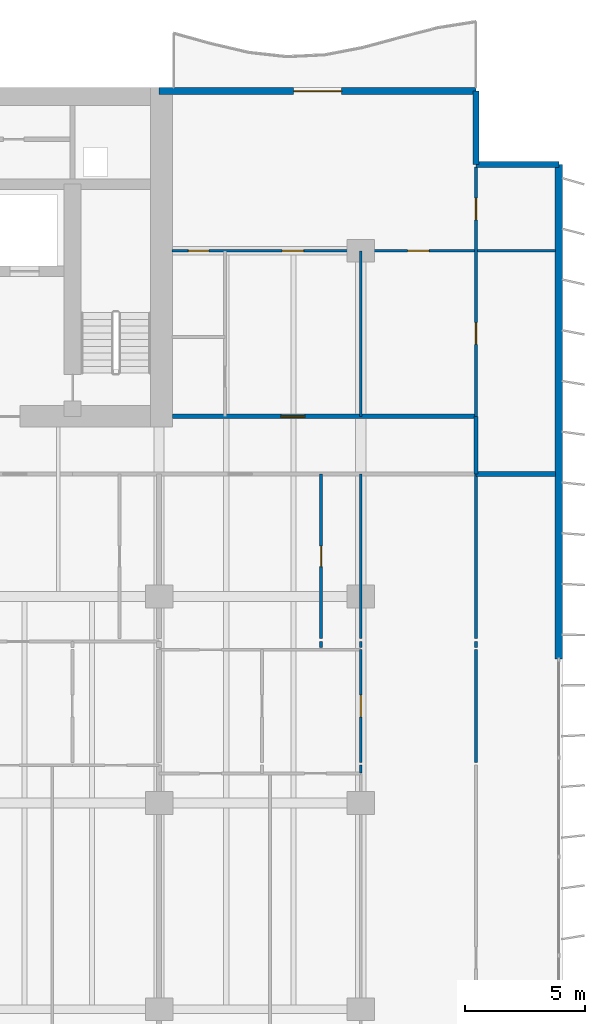
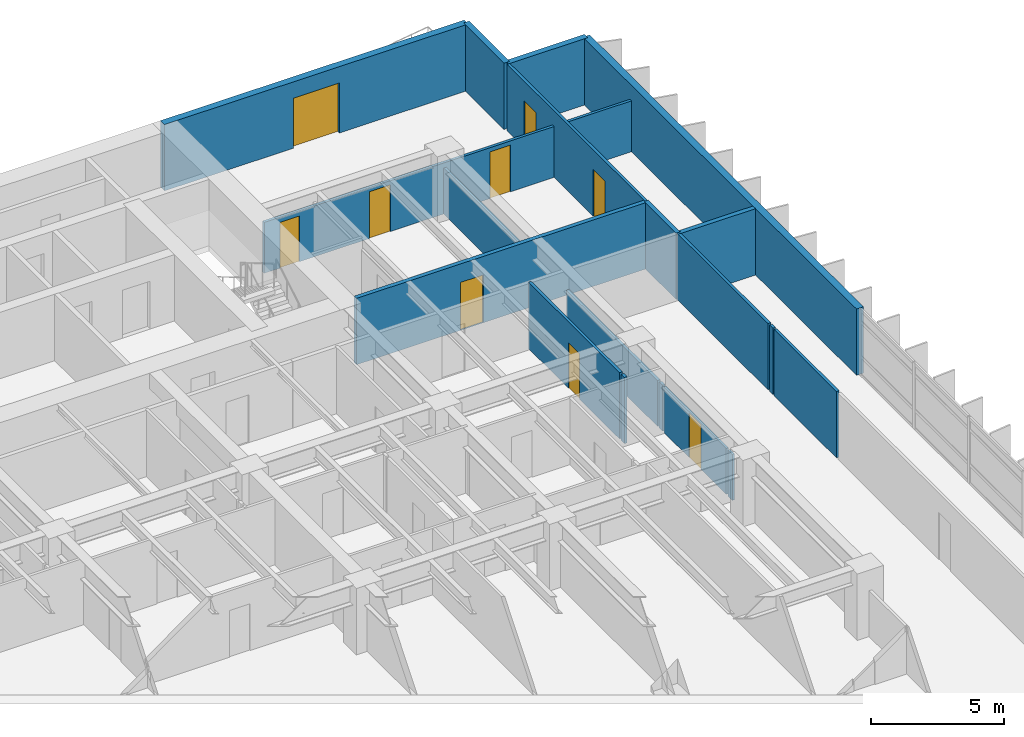
# One storey, part 13 of 18: 19 walls, 9 doors, 9 openings.
"""IFC4 building model written with IfcOpenShell, lengths in metres."""

from ifc_helpers import new_model, si_unit, direction, frame, frame_2d, origin, place, context, subcontext, project, spatial, rectangle, extrude, material, layer, layer_set, type_object, element, fill, save


model = new_model("IFC4")

# Units and contexts
model_context = context("Model", 3, precision=1e-05, world=origin(), true_north=direction((0.0, 1.0)))
body_context = subcontext(model_context, "Body", "Model", "MODEL_VIEW")
ifc_project = project(units=[si_unit("LENGTHUNIT", "METRE"), si_unit("AREAUNIT", "SQUARE_METRE"), si_unit("VOLUMEUNIT", "CUBIC_METRE"), si_unit("PLANEANGLEUNIT", "RADIAN"), si_unit("MASSUNIT", "GRAM", prefix="KILO")], contexts=[model_context])

# Site, building, storey
site_placement = place(None, origin())
site = spatial("IfcSite", under=ifc_project, at=site_placement, CompositionType="ELEMENT")
building_placement = place(site_placement, origin())
building = spatial("IfcBuilding", under=site, at=building_placement, Name="Caelmar Bay Residences", CompositionType="ELEMENT")
storey_placement = place(building_placement, frame((0.0, 0.0, 36.60009765625)))
storey = spatial("IfcBuildingStorey", under=building, at=storey_placement, Name="L08", CompositionType="ELEMENT", Elevation=36.60009765625)

# Wall
ifc_material_1 = material(Name="Double-stud acoustic fire-rated gypsum partition 180 mm")
ifc_layer_1 = layer(ifc_material_1, 0.179931640625)
ifc_layer_set_1 = layer_set([ifc_layer_1], Name="Double-stud acoustic fire-rated gypsum partition 180 mm")
wall_type_1 = type_object("IfcWallType", Name="W-COR-200", PredefinedType="PARTITIONING", material=ifc_layer_set_1)
wall_1_placement = place(storey_placement, frame((72.699951171875, 34.5048828125, 0.0), z_axis=(0.0, 0.0, 1.0), x_axis=(0.0, 1.0, 0.0)))
element("IfcWall", 1, at=wall_1_placement, inside=storey, type_object=wall_type_1, Name="L08 Partition Wall V101", PredefinedType="PARTITIONING", context=body_context, shape_type="SweptSolid", body=[
    extrude(rectangle(XDim=2.39501953125, YDim=0.179931640625, at=frame_2d((1.197509765625, 0.0))), origin(), (0.0, 0.0, 1.0), 3.0498046875),
])

# Wall, opening, door
wall_2_placement = place(storey_placement, frame((60.054931640625, 36.89990234375, 0.0), z_axis=(0.0, 0.0, 1.0), x_axis=(1.0, 0.0, 0.0)))
wall_2 = element("IfcWall", 2, at=wall_2_placement, inside=storey, type_object=wall_type_1, Name="L08 Partition Wall H131", PredefinedType="PARTITIONING", context=body_context, shape_type="SweptSolid", body=[
    extrude(rectangle(XDim=12.64501953125, YDim=0.179931640625, at=frame_2d((6.322509765625, 0.0))), origin(), (0.0, 0.0, 1.0), 3.0498046875),
])
opening_1_placement = place(wall_2_placement, frame((4.52001953125, 0.0, 0.0)))
opening_1 = element("IfcOpeningElement", 3, at=opening_1_placement, cuts=wall_2, Name="Opening D-L08-177", PredefinedType="OPENING", context=body_context, shape_type="SweptSolid", body=[
    extrude(rectangle(XDim=1.0, YDim=2.199951171875, at=frame_2d((0.5, 1.10009765625))), frame((0.0, 0.099853515625, 0.0), z_axis=(0.0, -1.0, 0.0), x_axis=(1.0, 0.0, 0.0)), (0.0, 0.0, 1.0), 0.199951171875),
])
ifc_material_2 = material(Name="Fire-rated steel and walnut architectural door assembly", Category="steel")
ifc_layer_2 = layer(ifc_material_2, 0.050048828125)
ifc_layer_set_2 = layer_set([ifc_layer_2], Name="Fire-rated steel and walnut architectural door assembly")
door_type_1 = type_object("IfcDoorType", Name="D-UNIT-1000", OperationType="NOTDEFINED", PredefinedType="DOOR", material=ifc_layer_set_2)
door_1_placement = place(opening_1_placement, origin())
door_1 = element("IfcDoor", 4, at=door_1_placement, inside=storey, type_object=door_type_1, Name="L08 Residence EA Kitchen Door", OperationType="SINGLE_SWING_LEFT", OverallHeight=2.199951171875, OverallWidth=1.0, PredefinedType="DOOR", context=body_context, shape_type="SweptSolid", body=[
    extrude(rectangle(XDim=1.0, YDim=2.199951171875, at=frame_2d((0.5, 1.10009765625))), frame((0.0, 0.02490234375, 0.0), z_axis=(0.0, -1.0, 0.0), x_axis=(1.0, 0.0, 0.0)), (0.0, 0.0, 1.0), 0.050048828125),
])
fill(opening_1, door_1)

# Walls
ifc_material_3 = material(Name="Precast concrete f'c 40 MPa (6,000 psi)", Category="concrete")
ifc_layer_3 = layer(ifc_material_3, 0.25)
ifc_layer_set_3 = layer_set([ifc_layer_3], Name="Precast concrete f'c 40 MPa (6,000 psi)")
wall_type_2 = type_object("IfcWallType", Name="W-EXT-250", PredefinedType="ELEMENTEDWALL", material=ifc_layer_set_3)
wall_3_placement = place(storey_placement, frame((72.699951171875, 50.449951171875, 0.0), z_axis=(0.0, 0.0, 1.0), x_axis=(0.0, -1.0, 0.0)))
element("IfcWall", 5, at=wall_3_placement, inside=storey, type_object=wall_type_2, Name="L08 NNE-V Notch Wall", PredefinedType="ELEMENTEDWALL", context=body_context, shape_type="SweptSolid", body=[
    extrude(rectangle(XDim=3.050048828125, YDim=0.25, at=frame_2d((1.52490234375, 0.0))), origin(), (0.0, 0.0, 1.0), 3.0498046875),
])
wall_4_placement = place(storey_placement, frame((72.699951171875, 47.39990234375, 0.0), z_axis=(0.0, 0.0, 1.0), x_axis=(1.0, 0.0, 0.0)))
element("IfcWall", 6, at=wall_4_placement, inside=storey, type_object=wall_type_2, Name="L08 NNE-H Notch Wall", PredefinedType="ELEMENTEDWALL", context=body_context, shape_type="SweptSolid", body=[
    extrude(rectangle(XDim=3.449951171875, YDim=0.25, at=frame_2d((1.72509765625, 0.0))), origin(), (0.0, 0.0, 1.0), 3.0498046875),
])
ifc_layer_4 = layer(ifc_material_3, 0.300048828125)
ifc_layer_set_4 = layer_set([ifc_layer_4], Name="Precast concrete f'c 40 MPa (6,000 psi)")
wall_type_3 = type_object("IfcWallType", Name="W-EXT-300", PredefinedType="STANDARD", material=ifc_layer_set_4)
wall_5_placement = place(storey_placement, frame((76.14990234375, 47.39990234375, 0.0), z_axis=(0.0, 0.0, 1.0), x_axis=(0.0, -1.0, 0.0)))
element("IfcWall", 7, at=wall_5_placement, inside=storey, type_object=wall_type_3, Name="L08 East Rear Exterior Wall", PredefinedType="STANDARD", context=body_context, shape_type="SweptSolid", body=[
    extrude(rectangle(XDim=20.599853515625, YDim=0.300048828125, at=frame_2d((10.2998046875, 0.0))), origin(), (0.0, 0.0, 1.0), 3.0498046875),
])

# Wall, opening, door
wall_6_placement = place(storey_placement, frame((59.5, 50.449951171875, 0.0), z_axis=(0.0, 0.0, 1.0), x_axis=(1.0, 0.0, 0.0)))
wall_6 = element("IfcWall", 8, at=wall_6_placement, inside=storey, type_object=wall_type_3, Name="L08 North-East Wing Exterior Wall", PredefinedType="STANDARD", context=body_context, shape_type="SweptSolid", body=[
    extrude(rectangle(XDim=13.199951171875, YDim=0.300048828125, at=frame_2d((6.60009765625, 0.0))), origin(), (0.0, 0.0, 1.0), 3.0498046875),
])
opening_2_placement = place(wall_6_placement, frame((5.60009765625, 0.0, 0.0)))
opening_2 = element("IfcOpeningElement", 9, at=opening_2_placement, cuts=wall_6, Name="Opening L08-BDNE", PredefinedType="OPENING", context=body_context, shape_type="SweptSolid", body=[
    extrude(rectangle(XDim=2.0, YDim=2.300048828125, at=frame_2d((1.0, 1.14990234375))), frame((0.0, 0.159912109375, 0.0), z_axis=(0.0, -1.0, 0.0), x_axis=(1.0, 0.0, 0.0)), (0.0, 0.0, 1.0), 0.320068359375),
])
ifc_material_4 = material(Name="Anodised bronze thermally broken sliding glass door", Category="glass")
ifc_layer_5 = layer(ifc_material_4, 0.050048828125)
ifc_layer_set_5 = layer_set([ifc_layer_5], Name="Anodised bronze thermally broken sliding glass door")
door_type_2 = type_object("IfcDoorType", Name="D-BAL-2000", OperationType="DOUBLE_DOOR_SLIDING", PredefinedType="DOOR", material=ifc_layer_set_5)
door_2_placement = place(opening_2_placement, origin())
door_2 = element("IfcDoor", 10, at=door_2_placement, inside=storey, type_object=door_type_2, Name="L08 North-East Balcony Door", OperationType="DOUBLE_DOOR_SLIDING", OverallHeight=2.300048828125, OverallWidth=2.0, PredefinedType="DOOR", context=body_context, shape_type="SweptSolid", body=[
    extrude(rectangle(XDim=2.0, YDim=2.300048828125, at=frame_2d((1.0, 1.14990234375))), frame((0.0, 0.02490234375, 0.0), z_axis=(0.0, -1.0, 0.0), x_axis=(1.0, 0.0, 0.0)), (0.0, 0.0, 1.0), 0.050048828125),
])
fill(opening_2, door_2)

# Wall
ifc_material_5 = material(Name="Anodised bronze framed acoustic sliding study partition 100 mm")
ifc_layer_6 = layer(ifc_material_5, 0.10009765625)
ifc_layer_set_6 = layer_set([ifc_layer_6], Name="Anodised bronze framed acoustic sliding study partition 100 mm")
wall_type_4 = type_object("IfcWallType", Name="W-MOV-100", PredefinedType="MOVABLE", material=ifc_layer_set_6)
wall_7_placement = place(storey_placement, frame((67.89990234375, 22.034912109375, 0.0), z_axis=(0.0, 0.0, 1.0), x_axis=(0.0, 1.0, 0.0)))
element("IfcWall", 11, at=wall_7_placement, inside=storey, type_object=wall_type_4, Name="L08 Partition Wall V092", PredefinedType="MOVABLE", context=body_context, shape_type="SweptSolid", body=[
    extrude(rectangle(XDim=0.335205078125, YDim=0.10009765625, at=frame_2d((0.16748046875, 0.0))), origin(), (0.0, 0.0, 1.0), 2.10986328125),
])

# Wall, opening, door
wall_8_placement = place(storey_placement, frame((67.89990234375, 22.489990234375, 0.0), z_axis=(0.0, 0.0, 1.0), x_axis=(0.0, 1.0, 0.0)))
wall_8 = element("IfcWall", 12, at=wall_8_placement, inside=storey, type_object=wall_type_4, Name="L08 Partition Wall V093", PredefinedType="MOVABLE", context=body_context, shape_type="SweptSolid", body=[
    extrude(rectangle(XDim=4.68994140625, YDim=0.10009765625, at=frame_2d((2.344970703125, 0.0))), origin(), (0.0, 0.0, 1.0), 2.10986328125),
])
opening_3_placement = place(wall_8_placement, frame((1.89501953125, 0.0, 0.0)))
opening_3 = element("IfcOpeningElement", 13, at=opening_3_placement, cuts=wall_8, Name="Opening D-L08-166", PredefinedType="OPENING", context=body_context, shape_type="SweptSolid", body=[
    extrude(rectangle(XDim=0.89990234375, YDim=2.06005859375, at=frame_2d((0.449951171875, 1.030029296875))), frame((0.0, 0.06005859375, 0.0), z_axis=(0.0, -1.0, 0.0), x_axis=(1.0, 0.0, 0.0)), (0.0, 0.0, 1.0), 0.1201171875),
])
ifc_material_6 = material(Name="Solid walnut timber interior door leaf and frame", Category="wood")
ifc_layer_7 = layer(ifc_material_6, 0.050048828125)
ifc_layer_set_7 = layer_set([ifc_layer_7], Name="Solid walnut timber interior door leaf and frame")
door_type_3 = type_object("IfcDoorType", Name="D-ROOM-900", OperationType="NOTDEFINED", PredefinedType="DOOR", material=ifc_layer_set_7)
door_3_placement = place(opening_3_placement, origin())
door_3 = element("IfcDoor", 14, at=door_3_placement, inside=storey, type_object=door_type_3, Name="L08 Residence 06 East Apartment Hall Door", OperationType="SINGLE_SWING_RIGHT", OverallHeight=2.06005859375, OverallWidth=0.89990234375, PredefinedType="DOOR", context=body_context, shape_type="SweptSolid", body=[
    extrude(rectangle(XDim=0.89990234375, YDim=2.06005859375, at=frame_2d((0.449951171875, 1.030029296875))), frame((0.0, 0.02490234375, 0.0), z_axis=(0.0, -1.0, 0.0), x_axis=(1.0, 0.0, 0.0)), (0.0, 0.0, 1.0), 0.050048828125),
])
fill(opening_3, door_3)

# Wall
ifc_material_7 = material(Name="Acoustic metal-stud gypsum partition 120 mm")
ifc_layer_8 = layer(ifc_material_7, 0.1201171875)
ifc_layer_set_8 = layer_set([ifc_layer_8], Name="Acoustic metal-stud gypsum partition 120 mm")
wall_type_5 = type_object("IfcWallType", Name="W-PRT-120", PredefinedType="PARTITIONING", material=ifc_layer_set_8)
wall_9_placement = place(storey_placement, frame((66.25, 27.280029296875, 0.0), z_axis=(0.0, 0.0, 1.0), x_axis=(0.0, 1.0, 0.0)))
element("IfcWall", 15, at=wall_9_placement, inside=storey, type_object=wall_type_5, Name="L08 Partition Wall V088", PredefinedType="PARTITIONING", context=body_context, shape_type="SweptSolid", body=[
    extrude(rectangle(XDim=0.239990234375, YDim=0.1201171875, at=frame_2d((0.1201171875, 0.0))), origin(), (0.0, 0.0, 1.0), 3.0498046875),
])

# Wall, opening, door
wall_10_placement = place(storey_placement, frame((66.25, 27.639892578125, 0.0), z_axis=(0.0, 0.0, 1.0), x_axis=(0.0, 1.0, 0.0)))
wall_10 = element("IfcWall", 16, at=wall_10_placement, inside=storey, type_object=wall_type_5, Name="L08 Partition Wall V089", PredefinedType="PARTITIONING", context=body_context, shape_type="SweptSolid", body=[
    extrude(rectangle(XDim=6.860107421875, YDim=0.1201171875, at=frame_2d((3.43017578125, 0.0))), origin(), (0.0, 0.0, 1.0), 3.0498046875),
])
opening_4_placement = place(wall_10_placement, frame((3.0048828125, 0.0, 0.0)))
opening_4 = element("IfcOpeningElement", 17, at=opening_4_placement, cuts=wall_10, Name="Opening D-L08-160", PredefinedType="OPENING", context=body_context, shape_type="SweptSolid", body=[
    extrude(rectangle(XDim=0.85009765625, YDim=2.10009765625, at=frame_2d((0.425048828125, 1.050048828125))), frame((0.0, 0.070068359375, 0.0), z_axis=(0.0, -1.0, 0.0), x_axis=(1.0, 0.0, 0.0)), (0.0, 0.0, 1.0), 0.14013671875),
])
ifc_layer_9 = layer(ifc_material_6, 0.050048828125)
ifc_layer_set_9 = layer_set([ifc_layer_9], Name="Solid walnut timber interior door leaf and frame")
door_type_4 = type_object("IfcDoorType", Name="D-BATH-850", OperationType="NOTDEFINED", PredefinedType="DOOR", material=ifc_layer_set_9)
door_4_placement = place(opening_4_placement, origin())
door_4 = element("IfcDoor", 18, at=door_4_placement, inside=storey, type_object=door_type_4, Name="L08 Residence 06 Bathroom Door", OperationType="SINGLE_SWING_RIGHT", OverallHeight=2.10009765625, OverallWidth=0.85009765625, PredefinedType="DOOR", context=body_context, shape_type="SweptSolid", body=[
    extrude(rectangle(XDim=0.85009765625, YDim=2.10009765625, at=frame_2d((0.425048828125, 1.050048828125))), frame((0.0, 0.02490234375, 0.0), z_axis=(0.0, -1.0, 0.0), x_axis=(1.0, 0.0, 0.0)), (0.0, 0.0, 1.0), 0.050048828125),
])
fill(opening_4, door_4)

# Walls
wall_11_placement = place(storey_placement, frame((67.89990234375, 27.280029296875, 0.0), z_axis=(0.0, 0.0, 1.0), x_axis=(0.0, 1.0, 0.0)))
element("IfcWall", 19, at=wall_11_placement, inside=storey, type_object=wall_type_5, Name="L08 Partition Wall V094", PredefinedType="PARTITIONING", context=body_context, shape_type="SweptSolid", body=[
    extrude(rectangle(XDim=0.239990234375, YDim=0.1201171875, at=frame_2d((0.1201171875, 0.0))), origin(), (0.0, 0.0, 1.0), 2.10986328125),
])
wall_12_placement = place(storey_placement, frame((67.89990234375, 27.639892578125, 0.0), z_axis=(0.0, 0.0, 1.0), x_axis=(0.0, 1.0, 0.0)))
element("IfcWall", 20, at=wall_12_placement, inside=storey, type_object=wall_type_5, Name="L08 Partition Wall V095", PredefinedType="PARTITIONING", context=body_context, shape_type="SweptSolid", body=[
    extrude(rectangle(XDim=6.860107421875, YDim=0.1201171875, at=frame_2d((3.43017578125, 0.0))), origin(), (0.0, 0.0, 1.0), 2.10986328125),
])
wall_13_placement = place(storey_placement, frame((67.89990234375, 36.89990234375, 0.0), z_axis=(0.0, 0.0, 1.0), x_axis=(0.0, 1.0, 0.0)))
element("IfcWall", 21, at=wall_13_placement, inside=storey, type_object=wall_type_5, Name="L08 Partition Wall V096", PredefinedType="PARTITIONING", context=body_context, shape_type="SweptSolid", body=[
    extrude(rectangle(XDim=6.900146484375, YDim=0.1201171875, at=frame_2d((3.4501953125, 0.0))), origin(), (0.0, 0.0, 1.0), 2.10986328125),
])
wall_14_placement = place(storey_placement, frame((72.699951171875, 22.489990234375, 0.0), z_axis=(0.0, 0.0, 1.0), x_axis=(0.0, 1.0, 0.0)))
element("IfcWall", 22, at=wall_14_placement, inside=storey, type_object=wall_type_5, Name="L08 Partition Wall V098", PredefinedType="PARTITIONING", context=body_context, shape_type="SweptSolid", body=[
    extrude(rectangle(XDim=4.68994140625, YDim=0.1201171875, at=frame_2d((2.344970703125, 0.0))), origin(), (0.0, 0.0, 1.0), 3.0498046875),
])
wall_15_placement = place(storey_placement, frame((72.699951171875, 27.280029296875, 0.0), z_axis=(0.0, 0.0, 1.0), x_axis=(0.0, 1.0, 0.0)))
element("IfcWall", 23, at=wall_15_placement, inside=storey, type_object=wall_type_5, Name="L08 Partition Wall V099", PredefinedType="PARTITIONING", context=body_context, shape_type="SweptSolid", body=[
    extrude(rectangle(XDim=0.239990234375, YDim=0.1201171875, at=frame_2d((0.1201171875, 0.0))), origin(), (0.0, 0.0, 1.0), 3.0498046875),
])
wall_16_placement = place(storey_placement, frame((72.699951171875, 27.639892578125, 0.0), z_axis=(0.0, 0.0, 1.0), x_axis=(0.0, 1.0, 0.0)))
element("IfcWall", 24, at=wall_16_placement, inside=storey, type_object=wall_type_5, Name="L08 Partition Wall V100", PredefinedType="PARTITIONING", context=body_context, shape_type="SweptSolid", body=[
    extrude(rectangle(XDim=6.860107421875, YDim=0.1201171875, at=frame_2d((3.43017578125, 0.0))), origin(), (0.0, 0.0, 1.0), 3.0498046875),
])

# Wall, openings, doors
wall_17_placement = place(storey_placement, frame((72.699951171875, 36.905029296875, 0.0), z_axis=(0.0, 0.0, 1.0), x_axis=(0.0, 1.0, 0.0)))
wall_17 = element("IfcWall", 25, at=wall_17_placement, inside=storey, type_object=wall_type_5, Name="L08 Partition Wall V102", PredefinedType="PARTITIONING", context=body_context, shape_type="SweptSolid", body=[
    extrude(rectangle(XDim=10.375, YDim=0.1201171875, at=frame_2d((5.1875, 0.0))), origin(), (0.0, 0.0, 1.0), 3.0498046875),
])
opening_5_placement = place(wall_17_placement, frame((2.99755859375, 0.0, 0.0)))
opening_5 = element("IfcOpeningElement", 26, at=opening_5_placement, cuts=wall_17, Name="Opening D-L08-181", PredefinedType="OPENING", context=body_context, shape_type="SweptSolid", body=[
    extrude(rectangle(XDim=0.89990234375, YDim=2.14990234375, at=frame_2d((0.449951171875, 1.074951171875))), frame((0.0, 0.070068359375, 0.0), z_axis=(0.0, -1.0, 0.0), x_axis=(1.0, 0.0, 0.0)), (0.0, 0.0, 1.0), 0.14013671875),
])
opening_6_placement = place(wall_17_placement, frame((8.18505859375, 0.0, 0.0)))
opening_6 = element("IfcOpeningElement", 27, at=opening_6_placement, cuts=wall_17, Name="Opening D-L08-182", PredefinedType="OPENING", context=body_context, shape_type="SweptSolid", body=[
    extrude(rectangle(XDim=0.89990234375, YDim=2.14990234375, at=frame_2d((0.449951171875, 1.074951171875))), frame((0.0, 0.070068359375, 0.0), z_axis=(0.0, -1.0, 0.0), x_axis=(1.0, 0.0, 0.0)), (0.0, 0.0, 1.0), 0.14013671875),
])
door_5_placement = place(opening_5_placement, origin())
door_5 = element("IfcDoor", 28, at=door_5_placement, inside=storey, type_object=door_type_3, Name="L08 Residence EA Sun Study Door", OperationType="SINGLE_SWING_LEFT", OverallHeight=2.14990234375, OverallWidth=0.89990234375, PredefinedType="DOOR", context=body_context, shape_type="SweptSolid", body=[
    extrude(rectangle(XDim=0.89990234375, YDim=2.14990234375, at=frame_2d((0.449951171875, 1.074951171875))), frame((0.0, 0.02490234375, 0.0), z_axis=(0.0, -1.0, 0.0), x_axis=(1.0, 0.0, 0.0)), (0.0, 0.0, 1.0), 0.050048828125),
])
fill(opening_5, door_5)
door_6_placement = place(opening_6_placement, origin())
door_6 = element("IfcDoor", 29, at=door_6_placement, inside=storey, type_object=door_type_3, Name="L08 Residence EA North Sitting Alcove Door", OperationType="SINGLE_SWING_RIGHT", OverallHeight=2.14990234375, OverallWidth=0.89990234375, PredefinedType="DOOR", context=body_context, shape_type="SweptSolid", body=[
    extrude(rectangle(XDim=0.89990234375, YDim=2.14990234375, at=frame_2d((0.449951171875, 1.074951171875))), frame((0.0, 0.02490234375, 0.0), z_axis=(0.0, -1.0, 0.0), x_axis=(1.0, 0.0, 0.0)), (0.0, 0.0, 1.0), 0.050048828125),
])
fill(opening_6, door_6)

wall_18_placement = place(storey_placement, frame((60.044921875, 43.800048828125, 0.0), z_axis=(0.0, 0.0, 1.0), x_axis=(1.0, 0.0, 0.0)))
wall_18 = element("IfcWall", 30, at=wall_18_placement, inside=storey, type_object=wall_type_5, Name="L08 Partition Wall H135", PredefinedType="PARTITIONING", context=body_context, shape_type="SweptSolid", body=[
    extrude(rectangle(XDim=15.9599609375, YDim=0.1201171875, at=frame_2d((7.97998046875, 0.0))), origin(), (0.0, 0.0, 1.0), 2.3388671875),
])
opening_7_placement = place(wall_18_placement, frame((9.804931640625, 0.0, 0.0)))
opening_7 = element("IfcOpeningElement", 31, at=opening_7_placement, cuts=wall_18, Name="Opening D-L08-176", PredefinedType="OPENING", context=body_context, shape_type="SweptSolid", body=[
    extrude(rectangle(XDim=0.89990234375, YDim=2.14990234375, at=frame_2d((0.449951171875, 1.074951171875))), frame((0.0, 0.070068359375, 0.0), z_axis=(0.0, -1.0, 0.0), x_axis=(1.0, 0.0, 0.0)), (0.0, 0.0, 1.0), 0.14013671875),
])
opening_8_placement = place(wall_18_placement, frame((4.580078125, 0.0, 0.0)))
opening_8 = element("IfcOpeningElement", 32, at=opening_8_placement, cuts=wall_18, Name="Opening D-L08-178", PredefinedType="OPENING", context=body_context, shape_type="SweptSolid", body=[
    extrude(rectangle(XDim=0.89990234375, YDim=2.14990234375, at=frame_2d((0.449951171875, 1.074951171875))), frame((0.0, 0.070068359375, 0.0), z_axis=(0.0, -1.0, 0.0), x_axis=(1.0, 0.0, 0.0)), (0.0, 0.0, 1.0), 0.14013671875),
])
opening_9_placement = place(wall_18_placement, frame((0.677490234375, 0.0, 0.0)))
opening_9 = element("IfcOpeningElement", 33, at=opening_9_placement, cuts=wall_18, Name="Opening D-L08-180", PredefinedType="OPENING", context=body_context, shape_type="SweptSolid", body=[
    extrude(rectangle(XDim=0.85009765625, YDim=2.10009765625, at=frame_2d((0.425048828125, 1.050048828125))), frame((0.0, 0.070068359375, 0.0), z_axis=(0.0, -1.0, 0.0), x_axis=(1.0, 0.0, 0.0)), (0.0, 0.0, 1.0), 0.14013671875),
])
door_7_placement = place(opening_9_placement, origin())
door_7 = element("IfcDoor", 34, at=door_7_placement, inside=storey, type_object=door_type_4, Name="L08 Residence EA Bathroom Door", OperationType="SINGLE_SWING_RIGHT", OverallHeight=2.10009765625, OverallWidth=0.85009765625, PredefinedType="DOOR", context=body_context, shape_type="SweptSolid", body=[
    extrude(rectangle(XDim=0.85009765625, YDim=2.10009765625, at=frame_2d((0.425048828125, 1.050048828125))), frame((0.0, 0.02490234375, 0.0), z_axis=(0.0, -1.0, 0.0), x_axis=(1.0, 0.0, 0.0)), (0.0, 0.0, 1.0), 0.050048828125),
])
fill(opening_9, door_7)
door_8_placement = place(opening_7_placement, origin())
door_8 = element("IfcDoor", 35, at=door_8_placement, inside=storey, type_object=door_type_3, Name="L08 Residence EA Study Door", OperationType="SINGLE_SWING_RIGHT", OverallHeight=2.14990234375, OverallWidth=0.89990234375, PredefinedType="DOOR", context=body_context, shape_type="SweptSolid", body=[
    extrude(rectangle(XDim=0.89990234375, YDim=2.14990234375, at=frame_2d((0.449951171875, 1.074951171875))), frame((0.0, 0.02490234375, 0.0), z_axis=(0.0, -1.0, 0.0), x_axis=(1.0, 0.0, 0.0)), (0.0, 0.0, 1.0), 0.050048828125),
])
fill(opening_7, door_8)
door_9_placement = place(opening_8_placement, origin())
door_9 = element("IfcDoor", 36, at=door_9_placement, inside=storey, type_object=door_type_3, Name="L08 Residence EA Studio Living and Sleeping Room Door", OperationType="SINGLE_SWING_RIGHT", OverallHeight=2.14990234375, OverallWidth=0.89990234375, PredefinedType="DOOR", context=body_context, shape_type="SweptSolid", body=[
    extrude(rectangle(XDim=0.89990234375, YDim=2.14990234375, at=frame_2d((0.449951171875, 1.074951171875))), frame((0.0, 0.02490234375, 0.0), z_axis=(0.0, -1.0, 0.0), x_axis=(1.0, 0.0, 0.0)), (0.0, 0.0, 1.0), 0.050048828125),
])
fill(opening_8, door_9)

# Wall
ifc_material_8 = material(Name="Acoustic twin-stud fire-rated inter-tenancy partition 200 mm")
ifc_layer_10 = layer(ifc_material_8, 0.199951171875)
ifc_layer_set_10 = layer_set([ifc_layer_10], Name="Acoustic twin-stud fire-rated inter-tenancy partition 200 mm")
wall_type_6 = type_object("IfcWallType", Name="W-PTY-200", PredefinedType="PARTITIONING", material=ifc_layer_set_10)
wall_19_placement = place(storey_placement, frame((72.705078125, 34.5, 0.0), z_axis=(0.0, 0.0, 1.0), x_axis=(1.0, 0.0, 0.0)))
element("IfcWall", 37, at=wall_19_placement, inside=storey, type_object=wall_type_6, Name="L08 Partition Wall H129", PredefinedType="PARTITIONING", context=body_context, shape_type="SweptSolid", body=[
    extrude(rectangle(XDim=3.2998046875, YDim=0.199951171875, at=frame_2d((1.64990234375, 0.0))), origin(), (0.0, 0.0, 1.0), 3.0498046875),
])

save(model, "model.ifc")
